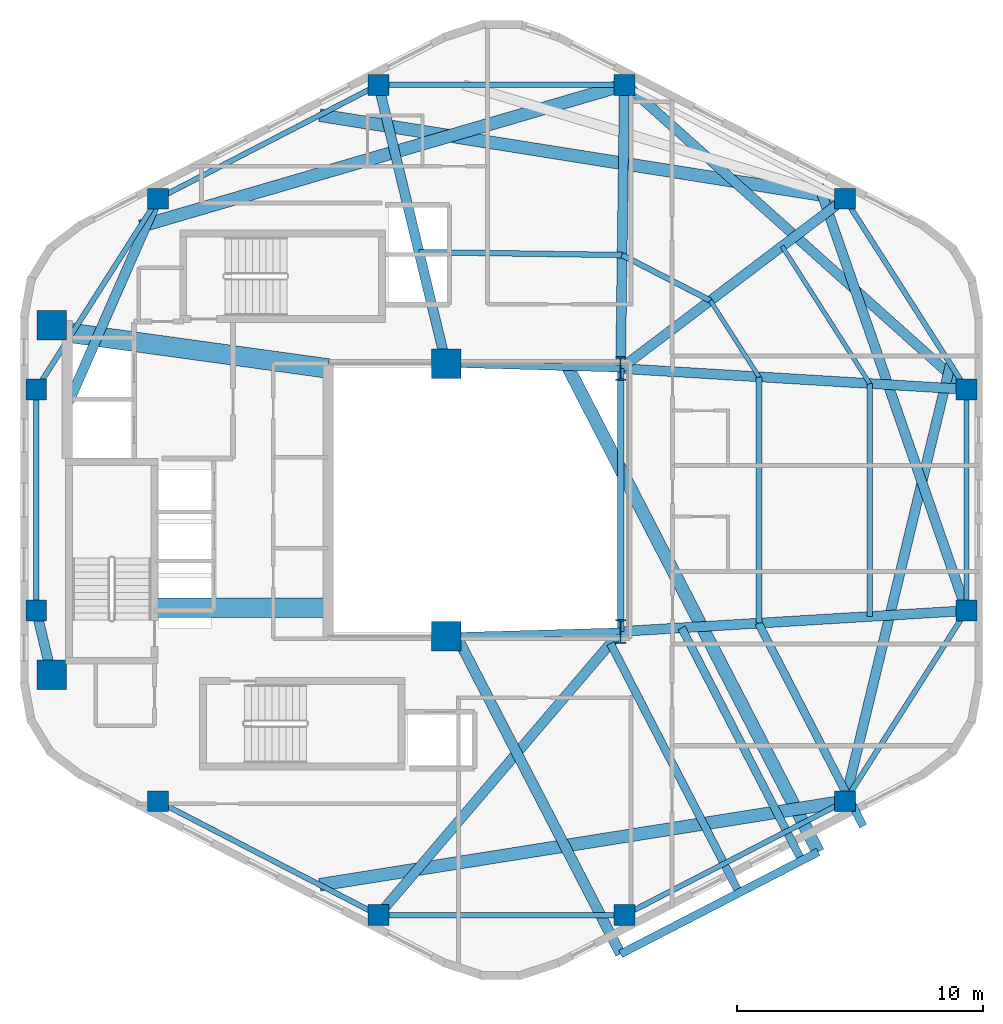
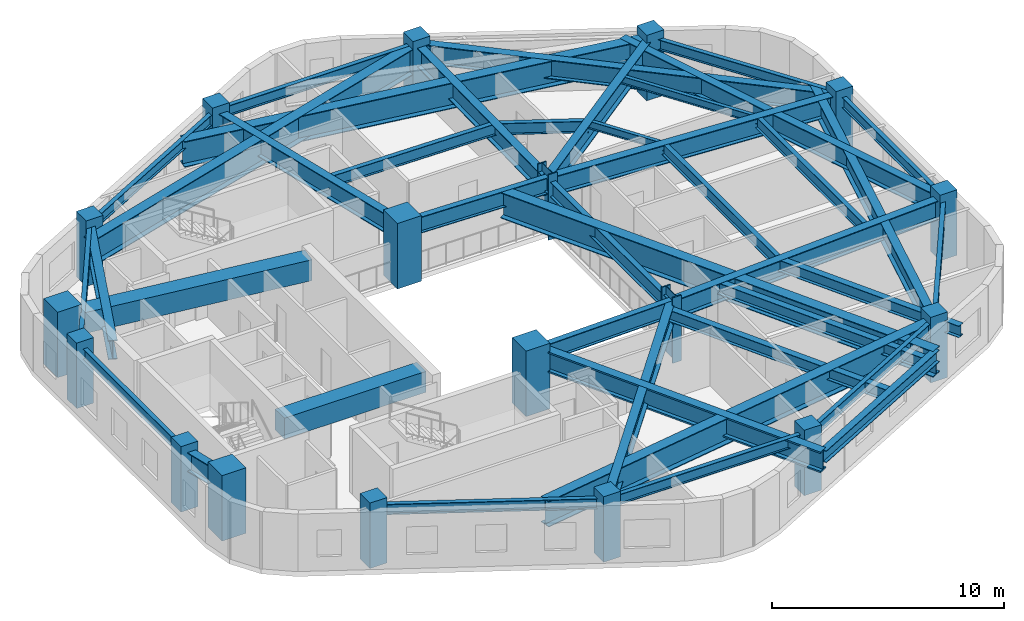
# One storey, part 1 of 7: 41 beams, 18 columns.
"""IFC4 building model written with IfcOpenShell, lengths in metres."""

from ifc_helpers import new_model, si_unit, direction, frame, origin, origin_2d, place, context, subcontext, project, spatial, rectangle, i_section, extrude, material, material_profile, profile_set, type_object, element, save


model = new_model("IFC4")

# Units and contexts
model_context = context("Model", 3, precision=1e-05, world=origin(), true_north=direction((0.0, 1.0)))
body_context = subcontext(model_context, "Body", "Model", "MODEL_VIEW")
ifc_project = project(units=[si_unit("LENGTHUNIT", "METRE"), si_unit("AREAUNIT", "SQUARE_METRE"), si_unit("VOLUMEUNIT", "CUBIC_METRE"), si_unit("PLANEANGLEUNIT", "RADIAN"), si_unit("MASSUNIT", "GRAM", prefix="KILO"), si_unit("THERMODYNAMICTEMPERATUREUNIT", "KELVIN"), si_unit("POWERUNIT", "WATT")], contexts=[model_context])

# Site, building, storey
site_placement = place(None, origin())
site = spatial("IfcSite", under=ifc_project, at=site_placement, CompositionType="ELEMENT")
building_placement = place(site_placement, origin())
building = spatial("IfcBuilding", under=site, at=building_placement, Name="Skarre Station Tower", CompositionType="ELEMENT")
storey_placement = place(building_placement, frame((0.0, 0.0, 217.14990234375)))
storey = spatial("IfcBuildingStorey", under=building, at=storey_placement, Name="L59", CompositionType="ELEMENT", Elevation=217.14990234375)

# Columns
ifc_material_1 = material(Name="Concrete C60/75", Category="concrete")
ifc_material_profile_1 = material_profile(ifc_material_1, rectangle(XDim=1.199951171875, YDim=1.199951171875, at=origin_2d()), Name="Concrete C60/75")
ifc_profile_set_1 = profile_set([ifc_material_profile_1], Name="Concrete C60/75")
column_type_1 = type_object("IfcColumnType", Name="RC Structural Column RC-COL-1200X1200", PredefinedType="COLUMN", material=ifc_profile_set_1)
for number, where, z_axis, x_axis, name in (
    (1, (16.300048828125, 16.89990234375, 0.0), (0.0, 0.0, 1.0), (1.0, 0.0, 0.0), "L59 Core Column CC-SW"),
    (2, (16.300048828125, 31.10009765625, 0.0), (0.0, 0.0, 1.0), (1.0, 0.0, 0.0), "L59 Core Column CC-NW"),
    (3, (32.35009765625, 18.449951171875, 0.0), (0.0, 0.0, 1.0), (1.0, 0.0, 0.0), "L59 Core Column CC-SE"),
    (4, (32.35009765625, 29.550048828125, 0.0), (0.0, 0.0, 1.0), (1.0, 0.0, 0.0), "L59 Core Column CC-NE"),
):
    element("IfcColumn", number, at=place(storey_placement, frame(where, z_axis=z_axis, x_axis=x_axis)), inside=storey, type_object=column_type_1, Name=name, PredefinedType="COLUMN", context=body_context, shape_type="SweptSolid", body=[
        extrude(rectangle(XDim=1.199951171875, YDim=1.199951171875, at=origin_2d()), origin(), (0.0, 0.0, 1.0), 3.4501953125),
    ])
ifc_material_2 = material(Name="Concrete C50/60", Category="concrete")
ifc_material_profile_2 = material_profile(ifc_material_2, rectangle(XDim=0.85009765625, YDim=0.85009765625, at=origin_2d()), Name="Concrete C50/60")
ifc_profile_set_2 = profile_set([ifc_material_profile_2], Name="Concrete C50/60")
column_type_2 = type_object("IfcColumnType", Name="RC Structural Column RC-COL-850X850", PredefinedType="COLUMN", material=ifc_profile_set_2)
for number, where, z_axis, x_axis, name in (
    (5, (48.573974609375, 36.257080078125, 0.0), (0.0, 0.0, 1.0), (1.0, 0.0, 0.0), "L59 Zone 3 Perimeter Column F0C1"),
    (6, (39.60205078125, 40.887939453125, 0.0), (0.0, 0.0, 1.0), (1.0, 0.0, 0.0), "L59 Zone 3 Perimeter Column F0C2"),
    (7, (29.597900390625, 40.887939453125, 0.0), (0.0, 0.0, 1.0), (1.0, 0.0, 0.0), "L59 Zone 3 Perimeter Column F1C1"),
    (8, (20.6259765625, 36.257080078125, 0.0), (0.0, 0.0, 1.0), (1.0, 0.0, 0.0), "L59 Zone 3 Perimeter Column F1C2"),
    (9, (15.677978515625, 28.5009765625, 0.0), (0.0, 0.0, 1.0), (1.0, 0.0, 0.0), "L59 Zone 3 Perimeter Column F2C1"),
    (10, (15.677978515625, 19.4990234375, 0.0), (0.0, 0.0, 1.0), (1.0, 0.0, 0.0), "L59 Zone 3 Perimeter Column F2C2"),
    (11, (20.6259765625, 11.742919921875, 0.0), (0.0, 0.0, 1.0), (1.0, 0.0, 0.0), "L59 Zone 3 Perimeter Column F3C1"),
    (12, (29.597900390625, 7.112060546875, 0.0), (0.0, 0.0, 1.0), (1.0, 0.0, 0.0), "L59 Zone 3 Perimeter Column F3C2"),
    (13, (39.60205078125, 7.112060546875, 0.0), (0.0, 0.0, 1.0), (1.0, 0.0, 0.0), "L59 Zone 3 Perimeter Column F4C1"),
    (14, (48.573974609375, 11.742919921875, 0.0), (0.0, 0.0, 1.0), (1.0, 0.0, 0.0), "L59 Zone 3 Perimeter Column F4C2"),
    (15, (53.52197265625, 19.4990234375, 0.0), (0.0, 0.0, 1.0), (1.0, 0.0, 0.0), "L59 Zone 3 Perimeter Column F5C1"),
    (16, (53.52197265625, 28.5009765625, 0.0), (0.0, 0.0, 1.0), (1.0, 0.0, 0.0), "L59 Zone 3 Perimeter Column F5C2"),
):
    element("IfcColumn", number, at=place(storey_placement, frame(where, z_axis=z_axis, x_axis=x_axis)), inside=storey, type_object=column_type_2, Name=name, PredefinedType="COLUMN", context=body_context, shape_type="SweptSolid", body=[
        extrude(rectangle(XDim=0.85009765625, YDim=0.85009765625, at=origin_2d()), origin(), (0.0, 0.0, 1.0), 3.4501953125),
    ])
ifc_material_3 = material(Name="Steel ASTM A913 Grade 65", Category="steel")
ifc_material_profile_3 = material_profile(ifc_material_3, i_section(OverallWidth=0.430908203125, OverallDepth=0.987060546875, WebThickness=0.033935546875, FlangeThickness=0.06201171875, at=origin_2d()), Name="Steel ASTM A913 Grade 65")
ifc_profile_set_3 = profile_set([ifc_material_profile_3], Name="Steel ASTM A913 Grade 65")
column_type_3 = type_object("IfcColumnType", Name="Steel Column W36X441", PredefinedType="COLUMN", material=ifc_profile_set_3)
for number, where, z_axis, x_axis, name in (
    (17, (39.449951171875, 18.64990234375, 0.0), (0.0, 0.0, 1.0), (1.0, 0.0, 0.0), "L59 Atrium Spine Column AC-SE"),
    (18, (39.449951171875, 29.35009765625, 0.0), (0.0, 0.0, 1.0), (1.0, 0.0, 0.0), "L59 Atrium Spine Column AC-NE"),
):
    element("IfcColumn", number, at=place(storey_placement, frame(where, z_axis=z_axis, x_axis=x_axis)), inside=storey, type_object=column_type_3, Name=name, PredefinedType="COLUMN", context=body_context, shape_type="SweptSolid", body=[
        extrude(i_section(OverallWidth=0.430908203125, OverallDepth=0.987060546875, WebThickness=0.033935546875, FlangeThickness=0.06201171875, at=origin_2d()), origin(), (0.0, 0.0, 1.0), 3.4501953125),
    ])

# Beams
ifc_material_4 = material(Name="Steel ASTM A572 Grade 50", Category="steel")
ifc_material_profile_4 = material_profile(ifc_material_4, i_section(OverallWidth=0.52001953125, OverallDepth=1.360107421875, WebThickness=0.02587890625, FlangeThickness=0.0380859375, at=origin_2d()), Name="Steel ASTM A572 Grade 50")
ifc_profile_set_4 = profile_set([ifc_material_profile_4], Name="Steel ASTM A572 Grade 50")
beam_type_1 = type_object("IfcBeamType", Name="Built-Up Plate Transfer Girder PG1360X520", PredefinedType="USERDEFINED", material=ifc_profile_set_4)
beam_1_placement = place(storey_placement, frame((48.573974609375, 36.257080078125, 2.35009765625), z_axis=(-0.987595782001, 0.157017742224, 0.0), x_axis=(-0.157017742224, -0.987595782001, 0.0)))
element("IfcBeam", 19, at=beam_1_placement, inside=storey, type_object=beam_type_1, Name="L59 Setback Perimeter Transfer Girder F1C1", ObjectType="TRANSFER_GIRDER", PredefinedType="USERDEFINED", context=body_context, shape_type="SweptSolid", body=[
    extrude(i_section(OverallWidth=0.52001953125, OverallDepth=1.360107421875, WebThickness=0.02587890625, FlangeThickness=0.0380859375, at=origin_2d()), origin(), (0.0, 0.0, 1.0), 21.63427734375),
])
beam_2_placement = place(storey_placement, frame((39.60205078125, 40.887939453125, 2.35009765625), z_axis=(-0.959855001383, -0.280496660087, 0.0), x_axis=(0.280496660087, -0.959855001383, 0.0)))
element("IfcBeam", 20, at=beam_2_placement, inside=storey, type_object=beam_type_1, Name="L59 Setback Perimeter Transfer Girder F1C2", ObjectType="TRANSFER_GIRDER", PredefinedType="USERDEFINED", context=body_context, shape_type="SweptSolid", body=[
    extrude(i_section(OverallWidth=0.52001953125, OverallDepth=1.360107421875, WebThickness=0.02587890625, FlangeThickness=0.0380859375, at=origin_2d()), origin(), (0.0, 0.0, 1.0), 20.516845703125),
])
beam_3_placement = place(storey_placement, frame((48.573974609375, 11.742919921875, 2.35009765625), z_axis=(-0.987595782001, -0.157017742224, 0.0), x_axis=(0.157017742224, -0.987595782001, 0.0)))
element("IfcBeam", 21, at=beam_3_placement, inside=storey, type_object=beam_type_1, Name="L59 Setback Perimeter Transfer Girder F3C2", ObjectType="TRANSFER_GIRDER", PredefinedType="USERDEFINED", context=body_context, shape_type="SweptSolid", body=[
    extrude(i_section(OverallWidth=0.52001953125, OverallDepth=1.360107421875, WebThickness=0.02587890625, FlangeThickness=0.0380859375, at=origin_2d()), origin(), (0.0, 0.0, 1.0), 21.63427734375),
])
beam_4_placement = place(storey_placement, frame((37.301025390625, 29.410888671875, 2.35009765625), z_axis=(0.458743183995, -0.888568900614, 0.0), x_axis=(0.888568900614, 0.458743183995, 0.0)))
element("IfcBeam", 22, at=beam_4_placement, inside=storey, type_object=beam_type_1, Name="L59 SB-5 Exoskeleton Tier-0 Transfer Girder S2", ObjectType="TRANSFER_GIRDER", PredefinedType="USERDEFINED", context=body_context, shape_type="SweptSolid", body=[
    extrude(i_section(OverallWidth=0.52001953125, OverallDepth=1.360107421875, WebThickness=0.02587890625, FlangeThickness=0.0380859375, at=origin_2d()), origin(), (0.0, 0.0, 1.0), 22.2041015625),
])
ifc_material_5 = material(Name="Concrete C70/85", Category="concrete")
ifc_material_profile_5 = material_profile(ifc_material_5, rectangle(XDim=0.800048828125, YDim=1.10009765625, at=origin_2d()), Name="Concrete C70/85")
ifc_profile_set_5 = profile_set([ifc_material_profile_5], Name="Concrete C70/85")
beam_type_2 = type_object("IfcBeamType", Name="RC Core Coupling Lintel 800x1100", PredefinedType="LINTEL", material=ifc_profile_set_5)
beam_5_placement = place(storey_placement, frame((20.489990234375, 19.6201171875, 2.47998046875), z_axis=(1.0, 0.0, 0.0), x_axis=(0.0, 1.0, 0.0)))
element("IfcBeam", 23, at=beam_5_placement, inside=storey, type_object=beam_type_2, Name="L59 South Core Coupling Lintel", PredefinedType="LINTEL", context=body_context, shape_type="SweptSolid", body=[
    extrude(rectangle(XDim=0.800048828125, YDim=1.10009765625, at=origin_2d()), origin(), (0.0, 0.0, 1.0), 7.06005859375),
])
beam_6_placement = place(storey_placement, frame((17.050048828125, 30.800048828125, 2.47998046875), z_axis=(0.990599723633, -0.136792498109, 0.0), x_axis=(0.136792498109, 0.990599723633, 0.0)))
element("IfcBeam", 24, at=beam_6_placement, inside=storey, type_object=beam_type_2, Name="L59 North Core Coupling Lintel", PredefinedType="LINTEL", context=body_context, shape_type="SweptSolid", body=[
    extrude(rectangle(XDim=0.800048828125, YDim=1.10009765625, at=origin_2d()), origin(), (0.0, 0.0, 1.0), 10.599609375),
])
ifc_material_6 = material(Name="Steel ASTM A992 Grade 50", Category="steel")
ifc_material_profile_6 = material_profile(ifc_material_6, i_section(OverallWidth=0.323974609375, OverallDepth=0.611083984375, WebThickness=0.012939453125, FlangeThickness=0.01904296875, at=origin_2d()), Name="Steel ASTM A992 Grade 50")
ifc_profile_set_6 = profile_set([ifc_material_profile_6], Name="Steel ASTM A992 Grade 50")
beam_type_3 = type_object("IfcBeamType", Name="Steel Beam W24X104", PredefinedType="BEAM", material=ifc_profile_set_6)
beam_7_placement = place(storey_placement, frame((41.931884765625, 18.800048828125, 2.72021484375), z_axis=(0.458743012812, -0.888568988991, 0.0), x_axis=(0.888568988991, 0.458743012812, 0.0)))
element("IfcBeam", 25, at=beam_7_placement, inside=storey, type_object=beam_type_3, Name="L59 SG-3-L60 Center Outrigger Beam", PredefinedType="BEAM", context=body_context, shape_type="SweptSolid", body=[
    extrude(i_section(OverallWidth=0.323974609375, OverallDepth=0.611083984375, WebThickness=0.012939453125, FlangeThickness=0.01904296875, at=origin_2d()), origin(), (0.0, 0.0, 1.0), 10.56201171875),
])
beam_8_placement = place(storey_placement, frame((45.05810546875, 18.988037109375, 2.72021484375), z_axis=(0.458743946682, -0.88856850686, 0.0), x_axis=(0.88856850686, 0.458743946682, 0.0)))
element("IfcBeam", 26, at=beam_8_placement, inside=storey, type_object=beam_type_3, Name="L59 SG-3-L60 Outrigger Beam 1", PredefinedType="BEAM", context=body_context, shape_type="SweptSolid", body=[
    extrude(i_section(OverallWidth=0.323974609375, OverallDepth=0.611083984375, WebThickness=0.012939453125, FlangeThickness=0.01904296875, at=origin_2d()), origin(), (0.0, 0.0, 1.0), 9.294677734375),
])
beam_9_placement = place(storey_placement, frame((39.035888671875, 18.1650390625, 2.72021484375), z_axis=(0.458696180859, -0.888593165439, 0.0), x_axis=(0.888593165439, 0.458696180859, 0.0)))
element("IfcBeam", 27, at=beam_9_placement, inside=storey, type_object=beam_type_3, Name="L59 SG-3-L60 Outrigger Beam 2", PredefinedType="BEAM", context=body_context, shape_type="SweptSolid", body=[
    extrude(i_section(OverallWidth=0.323974609375, OverallDepth=0.611083984375, WebThickness=0.012939453125, FlangeThickness=0.01904296875, at=origin_2d()), origin(), (0.0, 0.0, 1.0), 11.32568359375),
])
ifc_material_profile_7 = material_profile(ifc_material_6, i_section(OverallWidth=0.26806640625, OverallDepth=0.77001953125, WebThickness=0.01611328125, FlangeThickness=0.02490234375, at=origin_2d()), Name="Steel ASTM A992 Grade 50")
ifc_profile_set_7 = profile_set([ifc_material_profile_7], Name="Steel ASTM A992 Grade 50")
beam_type_4 = type_object("IfcBeamType", Name="Steel Beam W30X132", PredefinedType="BEAM", material=ifc_profile_set_7)
beam_10_placement = place(storey_placement, frame((39.449951171875, 18.64990234375, 2.64501953125), z_axis=(0.0, 1.0, 0.0), x_axis=(-1.0, 0.0, 0.0)))
element("IfcBeam", 28, at=beam_10_placement, inside=storey, type_object=beam_type_4, Name="L59 Atrium East Edge Girder", PredefinedType="BEAM", context=body_context, shape_type="SweptSolid", body=[
    extrude(i_section(OverallWidth=0.26806640625, OverallDepth=0.77001953125, WebThickness=0.01611328125, FlangeThickness=0.02490234375, at=origin_2d()), origin(), (0.0, 0.0, 1.0), 10.7001953125),
])
ifc_material_profile_8 = material_profile(ifc_material_6, i_section(OverallWidth=0.2919921875, OverallDepth=0.85888671875, WebThickness=0.01708984375, FlangeThickness=0.031005859375, at=origin_2d()), Name="Steel ASTM A992 Grade 50")
ifc_profile_set_8 = profile_set([ifc_material_profile_8], Name="Steel ASTM A992 Grade 50")
beam_type_5 = type_object("IfcBeamType", Name="Steel Beam W33X169", PredefinedType="BEAM", material=ifc_profile_set_8)
for number, where, z_axis, x_axis, name in (
    (29, (32.35009765625, 18.449951171875, 2.60107421875), (0.999603666405, 0.028151556095, 0.0), (-0.028151556095, 0.999603666405, 0.0), "L59 Atrium South Edge Girder"),
    (30, (32.35009765625, 29.550048828125, 2.60107421875), (0.999603666405, -0.028151556095, 0.0), (0.028151556095, 0.999603666405, 0.0), "L59 Atrium North Edge Girder"),
):
    element("IfcBeam", number, at=place(storey_placement, frame(where, z_axis=z_axis, x_axis=x_axis)), inside=storey, type_object=beam_type_5, Name=name, PredefinedType="BEAM", context=body_context, shape_type="SweptSolid", body=[
        extrude(i_section(OverallWidth=0.2919921875, OverallDepth=0.85888671875, WebThickness=0.01708984375, FlangeThickness=0.031005859375, at=origin_2d()), origin(), (0.0, 0.0, 1.0), 7.102783203125),
    ])
ifc_material_profile_9 = material_profile(ifc_material_6, i_section(OverallWidth=0.177978515625, OverallDepth=0.403076171875, WebThickness=0.008056640625, FlangeThickness=0.010986328125, at=origin_2d()), Name="Steel ASTM A992 Grade 50")
ifc_profile_set_9 = profile_set([ifc_material_profile_9], Name="Steel ASTM A992 Grade 50")
beam_type_6 = type_object("IfcBeamType", Name="Steel Joist W16X36", PredefinedType="JOIST", material=ifc_profile_set_9)
beam_11_placement = place(storey_placement, frame((45.0791015625, 29.010009765625, 2.828125), z_axis=(-0.537716516977, 0.843125700812, 0.0), x_axis=(-0.843125700812, -0.537716516977, 0.0)))
element("IfcBeam", 31, at=beam_11_placement, inside=storey, type_object=beam_type_6, Name="L59 Auxiliary Composite Joist 7", PredefinedType="JOIST", context=body_context, shape_type="SweptSolid", body=[
    extrude(i_section(OverallWidth=0.177978515625, OverallDepth=0.403076171875, WebThickness=0.008056640625, FlangeThickness=0.010986328125, at=origin_2d()), origin(), (0.0, 0.0, 1.0), 3.680419921875),
])
beam_12_placement = place(storey_placement, frame((49.58203125, 28.739013671875, 2.828125), z_axis=(-0.537900605588, 0.843008267165, 0.0), x_axis=(-0.843008267165, -0.537900605588, 0.0)))
element("IfcBeam", 32, at=beam_12_placement, inside=storey, type_object=beam_type_6, Name="L59 Auxiliary Composite Joist 8", PredefinedType="JOIST", context=body_context, shape_type="SweptSolid", body=[
    extrude(i_section(OverallWidth=0.177978515625, OverallDepth=0.403076171875, WebThickness=0.008056640625, FlangeThickness=0.010986328125, at=origin_2d()), origin(), (0.0, 0.0, 1.0), 6.623779296875),
])
ifc_material_profile_10 = material_profile(ifc_material_6, i_section(OverallWidth=0.22802734375, OverallDepth=0.60791015625, WebThickness=0.010986328125, FlangeThickness=0.01708984375, at=origin_2d()), Name="Steel ASTM A992 Grade 50")
ifc_profile_set_10 = profile_set([ifc_material_profile_10], Name="Steel ASTM A992 Grade 50")
beam_type_7 = type_object("IfcBeamType", Name="Steel Joist W24X76", PredefinedType="JOIST", material=ifc_profile_set_10)
beam_13_placement = place(storey_placement, frame((43.10009765625, 32.113037109375, 2.72607421875), z_axis=(-0.888660390105, 0.458565928803, 0.0), x_axis=(-0.458565928803, -0.888660390105, 0.0)))
element("IfcBeam", 33, at=beam_13_placement, inside=storey, type_object=beam_type_7, Name="L59 Secondary Floor Joist 1", PredefinedType="JOIST", context=body_context, shape_type="SweptSolid", body=[
    extrude(i_section(OverallWidth=0.22802734375, OverallDepth=0.60791015625, WebThickness=0.010986328125, FlangeThickness=0.01708984375, at=origin_2d()), origin(), (0.0, 0.0, 1.0), 4.038818359375),
])
beam_14_placement = place(storey_placement, frame((39.510986328125, 33.965087890625, 2.72607421875), z_axis=(-0.999894760676, 0.014507500591, 0.0), x_axis=(-0.014507500591, -0.999894760676, 0.0)))
element("IfcBeam", 34, at=beam_14_placement, inside=storey, type_object=beam_type_7, Name="L59 Secondary Floor Joist 2", PredefinedType="JOIST", context=body_context, shape_type="SweptSolid", body=[
    extrude(i_section(OverallWidth=0.22802734375, OverallDepth=0.60791015625, WebThickness=0.010986328125, FlangeThickness=0.01708984375, at=origin_2d()), origin(), (0.0, 0.0, 1.0), 8.262939453125),
])
beam_15_placement = place(storey_placement, frame((45.0791015625, 18.989990234375, 2.72607421875), z_axis=(0.0, 1.0, 0.0), x_axis=(-1.0, 0.0, 0.0)))
element("IfcBeam", 35, at=beam_15_placement, inside=storey, type_object=beam_type_7, Name="L59 Secondary Floor Joist 5", PredefinedType="JOIST", context=body_context, shape_type="SweptSolid", body=[
    extrude(i_section(OverallWidth=0.22802734375, OverallDepth=0.60791015625, WebThickness=0.010986328125, FlangeThickness=0.01708984375, at=origin_2d()), origin(), (0.0, 0.0, 1.0), 10.02001953125),
])
beam_16_placement = place(storey_placement, frame((49.58203125, 19.260986328125, 2.72607421875), z_axis=(0.0, 1.0, 0.0), x_axis=(-1.0, 0.0, 0.0)))
element("IfcBeam", 36, at=beam_16_placement, inside=storey, type_object=beam_type_7, Name="L59 Secondary Floor Joist 6", PredefinedType="JOIST", context=body_context, shape_type="SweptSolid", body=[
    extrude(i_section(OverallWidth=0.22802734375, OverallDepth=0.60791015625, WebThickness=0.010986328125, FlangeThickness=0.01708984375, at=origin_2d()), origin(), (0.0, 0.0, 1.0), 9.47802734375),
])
ifc_material_profile_11 = material_profile(ifc_material_3, i_section(OverallWidth=0.424072265625, OverallDepth=1.092041015625, WebThickness=0.044921875, FlangeThickness=0.08203125, at=origin_2d()), Name="Steel ASTM A913 Grade 65")
ifc_profile_set_11 = profile_set([ifc_material_profile_11], Name="Steel ASTM A913 Grade 65")
beam_type_8 = type_object("IfcBeamType", Name="Steel Medium-Span Transfer Girder W40X593", PredefinedType="USERDEFINED", material=ifc_profile_set_11)
beam_17_placement = place(storey_placement, frame((32.77392578125, 18.4619140625, 2.484130859375), z_axis=(0.45872625611, -0.888577639802, 0.0), x_axis=(0.888577639802, 0.45872625611, 0.0)))
element("IfcBeam", 37, at=beam_17_placement, inside=storey, type_object=beam_type_8, Name="L59 SB-5 Exoskeleton Tier-0 Transfer Girder S1", ObjectType="TRANSFER_GIRDER", PredefinedType="USERDEFINED", context=body_context, shape_type="SweptSolid", body=[
    extrude(i_section(OverallWidth=0.424072265625, OverallDepth=1.092041015625, WebThickness=0.044921875, FlangeThickness=0.08203125, at=origin_2d()), origin(), (0.0, 0.0, 1.0), 14.55126953125),
])
ifc_material_profile_12 = material_profile(ifc_material_6, i_section(OverallWidth=0.214111328125, OverallDepth=0.549072265625, WebThickness=0.014892578125, FlangeThickness=0.02392578125, at=origin_2d()), Name="Steel ASTM A992 Grade 50")
ifc_profile_set_12 = profile_set([ifc_material_profile_12], Name="Steel ASTM A992 Grade 50")
beam_type_9 = type_object("IfcBeamType", Name="Steel Spandrel W21X93", PredefinedType="SPANDREL", material=ifc_profile_set_12)
beam_18_placement = place(storey_placement, frame((39.60205078125, 40.887939453125, 2.756103515625), z_axis=(-1.0, 0.0, 0.0), x_axis=(0.0, -1.0, 0.0)))
element("IfcBeam", 38, at=beam_18_placement, inside=storey, type_object=beam_type_9, Name="L59 Facet Spandrel Beam 2", PredefinedType="SPANDREL", context=body_context, shape_type="SweptSolid", body=[
    extrude(i_section(OverallWidth=0.214111328125, OverallDepth=0.549072265625, WebThickness=0.014892578125, FlangeThickness=0.02392578125, at=origin_2d()), origin(), (0.0, 0.0, 1.0), 10.004150390625),
])
beam_19_placement = place(storey_placement, frame((29.597900390625, 40.887939453125, 2.756103515625), z_axis=(-0.888613027226, -0.458657702262, 0.0), x_axis=(0.458657702262, -0.888613027226, 0.0)))
element("IfcBeam", 39, at=beam_19_placement, inside=storey, type_object=beam_type_9, Name="L59 Facet Spandrel Beam 3", PredefinedType="SPANDREL", context=body_context, shape_type="SweptSolid", body=[
    extrude(i_section(OverallWidth=0.214111328125, OverallDepth=0.549072265625, WebThickness=0.014892578125, FlangeThickness=0.02392578125, at=origin_2d()), origin(), (0.0, 0.0, 1.0), 10.096435546875),
])
beam_20_placement = place(storey_placement, frame((20.6259765625, 36.257080078125, 2.756103515625), z_axis=(-0.537826426158, -0.843055594445, 0.0), x_axis=(0.843055594445, -0.537826426158, 0.0)))
element("IfcBeam", 40, at=beam_20_placement, inside=storey, type_object=beam_type_9, Name="L59 Facet Spandrel Beam 4", PredefinedType="SPANDREL", context=body_context, shape_type="SweptSolid", body=[
    extrude(i_section(OverallWidth=0.214111328125, OverallDepth=0.549072265625, WebThickness=0.014892578125, FlangeThickness=0.02392578125, at=origin_2d()), origin(), (0.0, 0.0, 1.0), 9.199951171875),
])
beam_21_placement = place(storey_placement, frame((15.677978515625, 28.5009765625, 2.756103515625), z_axis=(0.0, -1.0, 0.0), x_axis=(1.0, 0.0, 0.0)))
element("IfcBeam", 41, at=beam_21_placement, inside=storey, type_object=beam_type_9, Name="L59 Facet Spandrel Beam 5", PredefinedType="SPANDREL", context=body_context, shape_type="SweptSolid", body=[
    extrude(i_section(OverallWidth=0.214111328125, OverallDepth=0.549072265625, WebThickness=0.014892578125, FlangeThickness=0.02392578125, at=origin_2d()), origin(), (0.0, 0.0, 1.0), 9.001953125),
])
beam_22_placement = place(storey_placement, frame((20.6259765625, 11.742919921875, 2.756103515625), z_axis=(0.888613027226, -0.458657702262, 0.0), x_axis=(0.458657702262, 0.888613027226, 0.0)))
element("IfcBeam", 42, at=beam_22_placement, inside=storey, type_object=beam_type_9, Name="L59 Facet Spandrel Beam 7", PredefinedType="SPANDREL", context=body_context, shape_type="SweptSolid", body=[
    extrude(i_section(OverallWidth=0.214111328125, OverallDepth=0.549072265625, WebThickness=0.014892578125, FlangeThickness=0.02392578125, at=origin_2d()), origin(), (0.0, 0.0, 1.0), 10.096435546875),
])
beam_23_placement = place(storey_placement, frame((29.597900390625, 7.112060546875, 2.756103515625), z_axis=(1.0, 0.0, 0.0), x_axis=(0.0, 1.0, 0.0)))
element("IfcBeam", 43, at=beam_23_placement, inside=storey, type_object=beam_type_9, Name="L59 Facet Spandrel Beam 8", PredefinedType="SPANDREL", context=body_context, shape_type="SweptSolid", body=[
    extrude(i_section(OverallWidth=0.214111328125, OverallDepth=0.549072265625, WebThickness=0.014892578125, FlangeThickness=0.02392578125, at=origin_2d()), origin(), (0.0, 0.0, 1.0), 10.004150390625),
])
beam_24_placement = place(storey_placement, frame((39.60205078125, 7.112060546875, 2.756103515625), z_axis=(0.888613027226, 0.458657702262, 0.0), x_axis=(-0.458657702262, 0.888613027226, 0.0)))
element("IfcBeam", 44, at=beam_24_placement, inside=storey, type_object=beam_type_9, Name="L59 Facet Spandrel Beam 9", PredefinedType="SPANDREL", context=body_context, shape_type="SweptSolid", body=[
    extrude(i_section(OverallWidth=0.214111328125, OverallDepth=0.549072265625, WebThickness=0.014892578125, FlangeThickness=0.02392578125, at=origin_2d()), origin(), (0.0, 0.0, 1.0), 10.096435546875),
])
beam_25_placement = place(storey_placement, frame((48.573974609375, 11.742919921875, 2.756103515625), z_axis=(0.537826426158, 0.843055594445, 0.0), x_axis=(-0.843055594445, 0.537826426158, 0.0)))
element("IfcBeam", 45, at=beam_25_placement, inside=storey, type_object=beam_type_9, Name="L59 Facet Spandrel Beam 10", PredefinedType="SPANDREL", context=body_context, shape_type="SweptSolid", body=[
    extrude(i_section(OverallWidth=0.214111328125, OverallDepth=0.549072265625, WebThickness=0.014892578125, FlangeThickness=0.02392578125, at=origin_2d()), origin(), (0.0, 0.0, 1.0), 9.199951171875),
])
beam_26_placement = place(storey_placement, frame((53.52197265625, 19.4990234375, 2.756103515625), z_axis=(0.0, 1.0, 0.0), x_axis=(-1.0, 0.0, 0.0)))
element("IfcBeam", 46, at=beam_26_placement, inside=storey, type_object=beam_type_9, Name="L59 Facet Spandrel Beam 11", PredefinedType="SPANDREL", context=body_context, shape_type="SweptSolid", body=[
    extrude(i_section(OverallWidth=0.214111328125, OverallDepth=0.549072265625, WebThickness=0.014892578125, FlangeThickness=0.02392578125, at=origin_2d()), origin(), (0.0, 0.0, 1.0), 9.001953125),
])
beam_27_placement = place(storey_placement, frame((53.52197265625, 28.5009765625, 2.756103515625), z_axis=(-0.537826426158, 0.843055594445, 0.0), x_axis=(-0.843055594445, -0.537826426158, 0.0)))
element("IfcBeam", 47, at=beam_27_placement, inside=storey, type_object=beam_type_9, Name="L59 Facet Spandrel Beam 12", PredefinedType="SPANDREL", context=body_context, shape_type="SweptSolid", body=[
    extrude(i_section(OverallWidth=0.214111328125, OverallDepth=0.549072265625, WebThickness=0.014892578125, FlangeThickness=0.02392578125, at=origin_2d()), origin(), (0.0, 0.0, 1.0), 9.199951171875),
])
ifc_material_profile_13 = material_profile(ifc_material_6, i_section(OverallWidth=0.327880859375, OverallDepth=0.6279296875, WebThickness=0.01708984375, FlangeThickness=0.028076171875, at=origin_2d()), Name="Steel ASTM A992 Grade 50")
ifc_profile_set_13 = profile_set([ifc_material_profile_13], Name="Steel ASTM A992 Grade 50")
beam_type_10 = type_object("IfcBeamType", Name="Steel Spandrel W24X146", PredefinedType="SPANDREL", material=ifc_profile_set_13)
beam_28_placement = place(storey_placement, frame((39.448974609375, 5.531982421875, 2.716064453125), z_axis=(0.888610011727, 0.458663544505, 0.0), x_axis=(-0.458663544505, 0.888610011727, 0.0)))
element("IfcBeam", 48, at=beam_28_placement, inside=storey, type_object=beam_type_10, Name="L59 SB-5 Exoskeleton Tier-0 Header Beam", PredefinedType="SPANDREL", context=body_context, shape_type="SweptSolid", body=[
    extrude(i_section(OverallWidth=0.327880859375, OverallDepth=0.6279296875, WebThickness=0.01708984375, FlangeThickness=0.028076171875, at=origin_2d()), origin(), (0.0, 0.0, 1.0), 9.045654296875),
])
ifc_material_profile_14 = material_profile(ifc_material_3, i_section(OverallWidth=0.402099609375, OverallDepth=1.008056640625, WebThickness=0.02099609375, FlangeThickness=0.0400390625, at=origin_2d()), Name="Steel ASTM A913 Grade 65")
ifc_profile_set_14 = profile_set([ifc_material_profile_14], Name="Steel ASTM A913 Grade 65")
beam_type_11 = type_object("IfcBeamType", Name="Steel Transfer Girder W40X277", PredefinedType="USERDEFINED", material=ifc_profile_set_14)
beam_29_placement = place(storey_placement, frame((53.52197265625, 28.5009765625, 2.526123046875), z_axis=(-0.745165783602, 0.666879265646, 0.0), x_axis=(-0.666879265646, -0.745165783602, 0.0)))
element("IfcBeam", 49, at=beam_29_placement, inside=storey, type_object=beam_type_11, Name="L59 Setback Perimeter Transfer Girder F0C1", ObjectType="TRANSFER_GIRDER", PredefinedType="USERDEFINED", context=body_context, shape_type="SweptSolid", body=[
    extrude(i_section(OverallWidth=0.402099609375, OverallDepth=1.008056640625, WebThickness=0.02099609375, FlangeThickness=0.0400390625, at=origin_2d()), origin(), (0.0, 0.0, 1.0), 18.4306640625),
])
beam_30_placement = place(storey_placement, frame((39.449951171875, 29.35009765625, 2.526123046875), z_axis=(0.797308988117, 0.603571352425, 0.0), x_axis=(-0.603571352425, 0.797308988117, 0.0)))
element("IfcBeam", 50, at=beam_30_placement, inside=storey, type_object=beam_type_11, Name="L59 Radial Floor Girder F0C1", ObjectType="TRANSFER_GIRDER", PredefinedType="USERDEFINED", context=body_context, shape_type="SweptSolid", body=[
    extrude(i_section(OverallWidth=0.402099609375, OverallDepth=1.008056640625, WebThickness=0.02099609375, FlangeThickness=0.0400390625, at=origin_2d()), origin(), (0.0, 0.0, 1.0), 11.443603515625),
])
beam_31_placement = place(storey_placement, frame((39.449951171875, 29.35009765625, 2.526123046875), z_axis=(0.013181528887, 0.999913119874, 0.0), x_axis=(-0.999913119874, 0.013181528887, 0.0)))
element("IfcBeam", 51, at=beam_31_placement, inside=storey, type_object=beam_type_11, Name="L59 Radial Floor Girder F0C2", ObjectType="TRANSFER_GIRDER", PredefinedType="USERDEFINED", context=body_context, shape_type="SweptSolid", body=[
    extrude(i_section(OverallWidth=0.402099609375, OverallDepth=1.008056640625, WebThickness=0.02099609375, FlangeThickness=0.0400390625, at=origin_2d()), origin(), (0.0, 0.0, 1.0), 11.538818359375),
])
beam_32_placement = place(storey_placement, frame((32.35009765625, 29.550048828125, 2.526123046875), z_axis=(-0.235892880832, 0.971779063765, 0.0), x_axis=(-0.971779063765, -0.235892880832, 0.0)))
element("IfcBeam", 52, at=beam_32_placement, inside=storey, type_object=beam_type_11, Name="L59 Radial Floor Girder F1C1", ObjectType="TRANSFER_GIRDER", PredefinedType="USERDEFINED", context=body_context, shape_type="SweptSolid", body=[
    extrude(i_section(OverallWidth=0.402099609375, OverallDepth=1.008056640625, WebThickness=0.02099609375, FlangeThickness=0.0400390625, at=origin_2d()), origin(), (0.0, 0.0, 1.0), 11.667236328125),
])
beam_33_placement = place(storey_placement, frame((17.010009765625, 28.0, 2.526123046875), z_axis=(0.401144174417, 0.916014929644, 0.0), x_axis=(-0.916014929644, 0.401144174417, 0.0)))
element("IfcBeam", 53, at=beam_33_placement, inside=storey, type_object=beam_type_11, Name="L59 Radial Floor Girder F1C2", ObjectType="TRANSFER_GIRDER", PredefinedType="USERDEFINED", context=body_context, shape_type="SweptSolid", body=[
    extrude(i_section(OverallWidth=0.402099609375, OverallDepth=1.008056640625, WebThickness=0.02099609375, FlangeThickness=0.0400390625, at=origin_2d()), origin(), (0.0, 0.0, 1.0), 9.01416015625),
])
beam_34_placement = place(storey_placement, frame((16.300048828125, 16.89990234375, 2.526123046875), z_axis=(-0.232764815072, 0.972533053867, 0.0), x_axis=(-0.972533053867, -0.232764815072, 0.0)))
element("IfcBeam", 54, at=beam_34_placement, inside=storey, type_object=beam_type_11, Name="L59 Radial Floor Girder F2C2", ObjectType="TRANSFER_GIRDER", PredefinedType="USERDEFINED", context=body_context, shape_type="SweptSolid", body=[
    extrude(i_section(OverallWidth=0.402099609375, OverallDepth=1.008056640625, WebThickness=0.02099609375, FlangeThickness=0.0400390625, at=origin_2d()), origin(), (0.0, 0.0, 1.0), 2.672607421875),
])
beam_35_placement = place(storey_placement, frame((39.449951171875, 18.64990234375, 2.526123046875), z_axis=(-0.649364312169, -0.760477475065, 0.0), x_axis=(0.760477475065, -0.649364312169, 0.0)))
element("IfcBeam", 55, at=beam_35_placement, inside=storey, type_object=beam_type_11, Name="L59 Radial Floor Girder F3C2", ObjectType="TRANSFER_GIRDER", PredefinedType="USERDEFINED", context=body_context, shape_type="SweptSolid", body=[
    extrude(i_section(OverallWidth=0.402099609375, OverallDepth=1.008056640625, WebThickness=0.02099609375, FlangeThickness=0.0400390625, at=origin_2d()), origin(), (0.0, 0.0, 1.0), 15.171875),
])
beam_36_placement = place(storey_placement, frame((48.573974609375, 11.742919921875, 2.526123046875), z_axis=(0.234730550541, 0.972060475816, 0.0), x_axis=(-0.972060475816, 0.234730550541, 0.0)))
element("IfcBeam", 56, at=beam_36_placement, inside=storey, type_object=beam_type_11, Name="L59 Setback Perimeter Transfer Girder F5C1", ObjectType="TRANSFER_GIRDER", PredefinedType="USERDEFINED", context=body_context, shape_type="SweptSolid", body=[
    extrude(i_section(OverallWidth=0.402099609375, OverallDepth=1.008056640625, WebThickness=0.02099609375, FlangeThickness=0.0400390625, at=origin_2d()), origin(), (0.0, 0.0, 1.0), 18.29296875),
])
beam_37_placement = place(storey_placement, frame((39.449951171875, 18.64990234375, 2.526123046875), z_axis=(0.998184432941, 0.060231535207, 0.0), x_axis=(-0.060231535207, 0.998184432941, 0.0)))
element("IfcBeam", 57, at=beam_37_placement, inside=storey, type_object=beam_type_11, Name="L59 Radial Floor Girder F5C1", ObjectType="TRANSFER_GIRDER", PredefinedType="USERDEFINED", context=body_context, shape_type="SweptSolid", body=[
    extrude(i_section(OverallWidth=0.402099609375, OverallDepth=1.008056640625, WebThickness=0.02099609375, FlangeThickness=0.0400390625, at=origin_2d()), origin(), (0.0, 0.0, 1.0), 14.09765625),
])
beam_38_placement = place(storey_placement, frame((53.52197265625, 19.4990234375, 2.526123046875), z_axis=(-0.328013505953, 0.944673033336, 0.0), x_axis=(-0.944673033336, -0.328013505953, 0.0)))
element("IfcBeam", 58, at=beam_38_placement, inside=storey, type_object=beam_type_11, Name="L59 Setback Perimeter Transfer Girder F5C2", ObjectType="TRANSFER_GIRDER", PredefinedType="USERDEFINED", context=body_context, shape_type="SweptSolid", body=[
    extrude(i_section(OverallWidth=0.402099609375, OverallDepth=1.008056640625, WebThickness=0.02099609375, FlangeThickness=0.0400390625, at=origin_2d()), origin(), (0.0, 0.0, 1.0), 18.319580078125),
])
beam_39_placement = place(storey_placement, frame((39.449951171875, 29.35009765625, 2.526123046875), z_axis=(0.998184432941, -0.060231535207, 0.0), x_axis=(0.060231535207, 0.998184432941, 0.0)))
element("IfcBeam", 59, at=beam_39_placement, inside=storey, type_object=beam_type_11, Name="L59 Radial Floor Girder F5C2", ObjectType="TRANSFER_GIRDER", PredefinedType="USERDEFINED", context=body_context, shape_type="SweptSolid", body=[
    extrude(i_section(OverallWidth=0.402099609375, OverallDepth=1.008056640625, WebThickness=0.02099609375, FlangeThickness=0.0400390625, at=origin_2d()), origin(), (0.0, 0.0, 1.0), 14.09765625),
])

save(model, "model.ifc")
